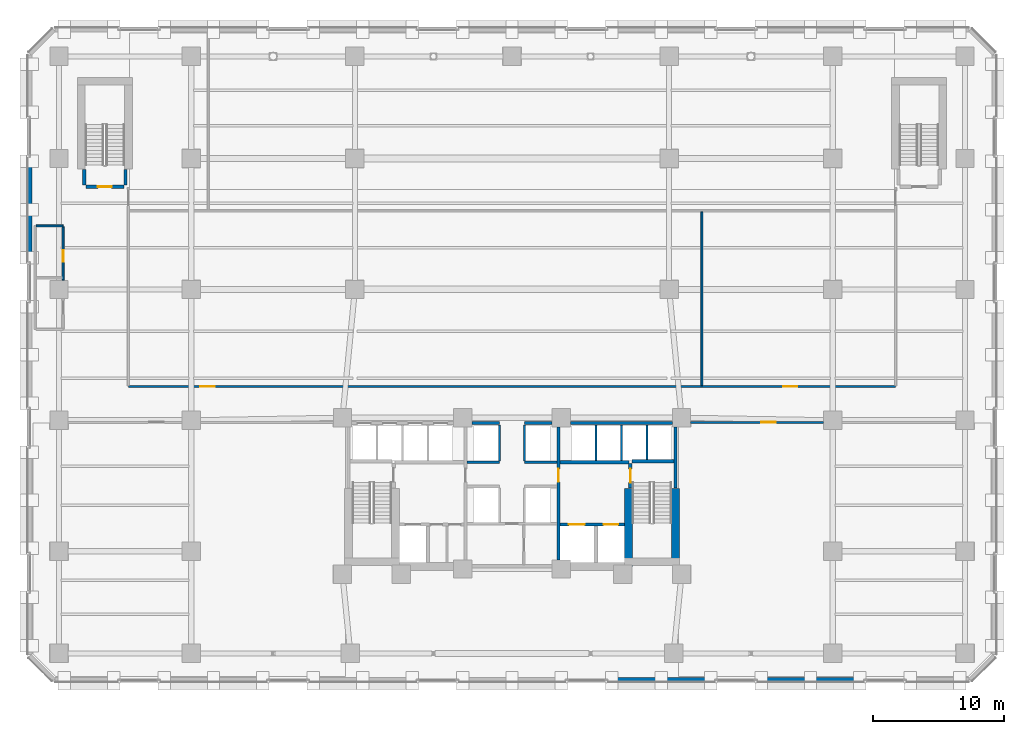
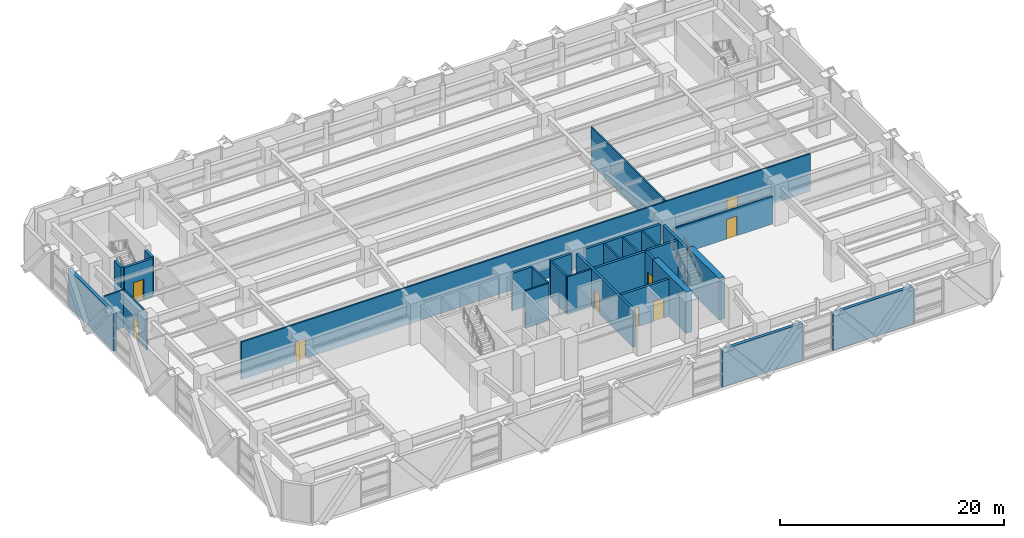
# One storey, part 15 of 26: 29 walls, 9 doors, 9 openings.
"""IFC4 building model written with IfcOpenShell, lengths in metres."""

from ifc_helpers import new_model, si_unit, direction, frame, frame_2d, origin, place, context, subcontext, project, spatial, rectangle, extrude, material, layer, layer_set, type_object, element, fill, save


model = new_model("IFC4")

# Units and contexts
model_context = context("Model", 3, precision=1e-05, world=origin(), true_north=direction((0.0, 1.0)))
body_context = subcontext(model_context, "Body", "Model", "MODEL_VIEW")
ifc_project = project(units=[si_unit("LENGTHUNIT", "METRE"), si_unit("AREAUNIT", "SQUARE_METRE"), si_unit("VOLUMEUNIT", "CUBIC_METRE"), si_unit("PLANEANGLEUNIT", "RADIAN"), si_unit("MASSUNIT", "GRAM", prefix="KILO")], contexts=[model_context])

# Site, building, storey
site_placement = place(None, origin())
site = spatial("IfcSite", under=ifc_project, at=site_placement, CompositionType="ELEMENT")
building_placement = place(site_placement, origin())
building = spatial("IfcBuilding", under=site, at=building_placement, Name="Quenlor Broadcast Tower", CompositionType="ELEMENT")
storey_placement = place(building_placement, frame((0.0, 0.0, 18.5)))
storey = spatial("IfcBuildingStorey", under=building, at=storey_placement, Name="L04", CompositionType="ELEMENT", Elevation=18.5)

# Wall
ifc_material_1 = material(Name="Acoustic Double Stud Gypsum Partition", Category="other")
ifc_layer_1 = layer(ifc_material_1, 0.14990234375)
ifc_layer_set_1 = layer_set([ifc_layer_1], Name="Broadcast Studio Acoustic Partition 150")
wall_type_1 = type_object("IfcWallType", Name="Broadcast Studio Acoustic Partition 150", PredefinedType="PARTITIONING", material=ifc_layer_set_1)
wall_1_placement = place(storey_placement, frame((14.5, -2.337890625, 0.0), z_axis=(0.0, 0.0, 1.0), x_axis=(0.0, 1.0, 0.0)))
element("IfcWall", 1, at=wall_1_placement, inside=storey, type_object=wall_type_1, Name="L04 Interior Wall PW-PD-VX", PredefinedType="PARTITIONING", context=body_context, shape_type="SweptSolid", body=[
    extrude(rectangle(XDim=13.2578125, YDim=0.14990234375, at=frame_2d((6.62890625, 0.0))), origin(), (0.0, 0.0, 1.0), 4.080078125),
])

# Wall, opening, door
wall_2_placement = place(storey_placement, frame((-34.280029296875, 5.701904296875, 0.0), z_axis=(0.0, 0.0, 1.0), x_axis=(0.0, 1.0, 0.0)))
wall_2 = element("IfcWall", 2, at=wall_2_placement, inside=storey, type_object=wall_type_1, Name="L04 Interior Wall PW-PD-WCES2", PredefinedType="PARTITIONING", context=body_context, shape_type="SweptSolid", body=[
    extrude(rectangle(XDim=4.088134765625, YDim=0.14990234375, at=frame_2d((2.0439453125, 0.0))), origin(), (0.0, 0.0, 1.0), 4.080078125),
])
opening_1_placement = place(wall_2_placement, frame((1.407958984375, 0.0, 0.0)))
opening_1 = element("IfcOpeningElement", 3, at=opening_1_placement, cuts=wall_2, Name="Opening ID-3", PredefinedType="OPENING", context=body_context, shape_type="SweptSolid", body=[
    extrude(rectangle(XDim=0.89990234375, YDim=2.1201171875, at=frame_2d((0.449951171875, 1.06005859375))), frame((0.0, 0.0849609375, 0.0), z_axis=(0.0, -1.0, 0.0), x_axis=(1.0, 0.0, 0.0)), (0.0, 0.0, 1.0), 0.169921875),
])
ifc_material_2 = material(Name="Moisture Resistant Timber Oak", Category="wood")
door_type_1 = type_object("IfcDoorType", Name="Washroom Privacy Door 900x2120", OperationType="NOTDEFINED", PredefinedType="DOOR", material=ifc_material_2)
door_1_placement = place(opening_1_placement, origin())
door_1 = element("IfcDoor", 4, at=door_1_placement, inside=storey, type_object=door_type_1, Name="L04 Door DR-PD-FWC", OperationType="SINGLE_SWING_RIGHT", OverallHeight=2.1201171875, OverallWidth=0.89990234375, PredefinedType="DOOR", context=body_context, shape_type="SweptSolid", body=[
    extrude(rectangle(XDim=0.89990234375, YDim=2.1201171875, at=frame_2d((0.449951171875, 1.06005859375))), frame((0.0, 0.02490234375, 0.0), z_axis=(0.0, -1.0, 0.0), x_axis=(1.0, 0.0, 0.0)), (0.0, 0.0, 1.0), 0.050048828125),
])
fill(opening_1, door_1)

# Walls
wall_3_placement = place(storey_placement, frame((-36.343017578125, 9.85009765625, 0.0), z_axis=(0.0, 0.0, 1.0), x_axis=(1.0, 0.0, 0.0)))
element("IfcWall", 5, at=wall_3_placement, inside=storey, type_object=wall_type_1, Name="L04 Interior Wall PW-PD-WCN", PredefinedType="PARTITIONING", context=body_context, shape_type="SweptSolid", body=[
    extrude(rectangle(XDim=2.06298828125, YDim=0.14990234375, at=frame_2d((1.031494140625, 0.0))), origin(), (0.0, 0.0, 1.0), 4.080078125),
])
ifc_material_3 = material(Name="Concrete C65/80", Category="concrete")
ifc_layer_2 = layer(ifc_material_3, 0.60009765625)
ifc_layer_set_2 = layer_set([ifc_layer_2], Name="Core Concrete C65/80 Shear Wall 600")
wall_type_2 = type_object("IfcWallType", Name="Core Concrete C65/80 Shear Wall 600", PredefinedType="SHEAR", material=ifc_layer_set_2)
wall_4_placement = place(storey_placement, frame((12.5, -15.800048828125, 0.0), z_axis=(0.0, 0.0, 1.0), x_axis=(0.0, 1.0, 0.0)))
element("IfcWall", 6, at=wall_4_placement, inside=storey, type_object=wall_type_2, Name="L04 Core Shear Wall WF-E", PredefinedType="SHEAR", context=body_context, shape_type="SweptSolid", body=[
    extrude(rectangle(XDim=5.60009765625, YDim=0.60009765625, at=frame_2d((2.800048828125, 0.0))), origin(), (0.0, 0.0, 1.0), 4.5),
])
wall_5_placement = place(storey_placement, frame((8.89990234375, -16.14990234375, 0.0), z_axis=(0.0, 0.0, 1.0), x_axis=(0.0, 1.0, 0.0)))
element("IfcWall", 7, at=wall_5_placement, inside=storey, type_object=wall_type_2, Name="L04 Core Shear Wall WI-E", PredefinedType="SHEAR", context=body_context, shape_type="SweptSolid", body=[
    extrude(rectangle(XDim=5.949951171875, YDim=0.60009765625, at=frame_2d((2.97509765625, 0.0))), origin(), (0.0, 0.0, 1.0), 4.5),
])

# Wall, opening, door
ifc_material_4 = material(Name="Concrete C40/50", Category="concrete")
ifc_layer_3 = layer(ifc_material_4, 0.25)
ifc_layer_set_3 = layer_set([ifc_layer_3], Name="Fire Rated Concrete C40/50 Core Wall 250")
wall_type_3 = type_object("IfcWallType", Name="Fire Rated Concrete C40/50 Core Wall 250", PredefinedType="PARTITIONING", material=ifc_layer_set_3)
wall_6_placement = place(storey_placement, frame((9.0400390625, -10.179931640625, 0.0), z_axis=(0.0, 0.0, 1.0), x_axis=(0.0, 1.0, 0.0)))
wall_6 = element("IfcWall", 8, at=wall_6_placement, inside=storey, type_object=wall_type_3, Name="L04 Interior Wall CW-ST2-DR", PredefinedType="PARTITIONING", context=body_context, shape_type="SweptSolid", body=[
    extrude(rectangle(XDim=1.89990234375, YDim=0.25, at=frame_2d((0.949951171875, 0.0))), origin(), (0.0, 0.0, 1.0), 4.080078125),
])
opening_2_placement = place(wall_6_placement, frame((0.419921875, 0.0, 0.0)))
opening_2 = element("IfcOpeningElement", 9, at=opening_2_placement, cuts=wall_6, Name="Opening FD-1", PredefinedType="OPENING", context=body_context, shape_type="SweptSolid", body=[
    extrude(rectangle(XDim=1.050048828125, YDim=2.14990234375, at=frame_2d((0.52490234375, 1.074951171875))), frame((0.0, 0.135009765625, 0.0), z_axis=(0.0, -1.0, 0.0), x_axis=(1.0, 0.0, 0.0)), (0.0, 0.0, 1.0), 0.27001953125),
])
ifc_material_5 = material(Name="Fire Rated Steel Door Leaf", Category="steel")
door_type_2 = type_object("IfcDoorType", Name="Fire Isolated Stair Door 1050x2150", OperationType="NOTDEFINED", PredefinedType="DOOR", material=ifc_material_5)
door_2_placement = place(opening_2_placement, origin())
door_2 = element("IfcDoor", 10, at=door_2_placement, inside=storey, type_object=door_type_2, Name="L04 Door DR-ST2", OperationType="SINGLE_SWING_RIGHT", OverallHeight=2.14990234375, OverallWidth=1.050048828125, PredefinedType="DOOR", context=body_context, shape_type="SweptSolid", body=[
    extrude(rectangle(XDim=1.050048828125, YDim=2.14990234375, at=frame_2d((0.52490234375, 1.074951171875))), frame((0.0, 0.02490234375, 0.0), z_axis=(0.0, -1.0, 0.0), x_axis=(1.0, 0.0, 0.0)), (0.0, 0.0, 1.0), 0.050048828125),
])
fill(opening_2, door_2)

# Walls
wall_7_placement = place(storey_placement, frame((9.159912109375, -8.1201171875, 0.0), z_axis=(0.0, 0.0, 1.0), x_axis=(1.0, 0.0, 0.0)))
element("IfcWall", 11, at=wall_7_placement, inside=storey, type_object=wall_type_3, Name="L04 Interior Wall CW-ST2-N", PredefinedType="PARTITIONING", context=body_context, shape_type="SweptSolid", body=[
    extrude(rectangle(XDim=3.219970703125, YDim=0.25, at=frame_2d((1.60986328125, 0.0))), origin(), (0.0, 0.0, 1.0), 4.080078125),
])
wall_8_placement = place(storey_placement, frame((12.47998046875, -10.179931640625, 0.0), z_axis=(0.0, 0.0, 1.0), x_axis=(0.0, 1.0, 0.0)))
element("IfcWall", 12, at=wall_8_placement, inside=storey, type_object=wall_type_3, Name="L04 Interior Wall CW-ST2-E2", PredefinedType="PARTITIONING", context=body_context, shape_type="SweptSolid", body=[
    extrude(rectangle(XDim=4.677978515625, YDim=0.25, at=frame_2d((2.3388671875, 0.0))), origin(), (0.0, 0.0, 1.0), 4.080078125),
])

# Wall, opening, door
wall_9_placement = place(storey_placement, frame((-32.550048828125, 12.840087890625, 0.0), z_axis=(0.0, 0.0, 1.0), x_axis=(1.0, 0.0, 0.0)))
wall_9 = element("IfcWall", 13, at=wall_9_placement, inside=storey, type_object=wall_type_3, Name="L04 Interior Wall CW-ST3-S", PredefinedType="PARTITIONING", context=body_context, shape_type="SweptSolid", body=[
    extrude(rectangle(XDim=2.900146484375, YDim=0.25, at=frame_2d((1.4501953125, 0.0))), origin(), (0.0, 0.0, 1.0), 4.080078125),
])
opening_3_placement = place(wall_9_placement, frame((0.919921875, 0.0, 0.0)))
opening_3 = element("IfcOpeningElement", 14, at=opening_3_placement, cuts=wall_9, Name="Opening FD-1", PredefinedType="OPENING", context=body_context, shape_type="SweptSolid", body=[
    extrude(rectangle(XDim=1.050048828125, YDim=2.14990234375, at=frame_2d((0.52490234375, 1.074951171875))), frame((0.0, 0.135009765625, 0.0), z_axis=(0.0, -1.0, 0.0), x_axis=(1.0, 0.0, 0.0)), (0.0, 0.0, 1.0), 0.27001953125),
])
door_3_placement = place(opening_3_placement, origin())
door_3 = element("IfcDoor", 15, at=door_3_placement, inside=storey, type_object=door_type_2, Name="L04 Door DR-ST3", OperationType="SINGLE_SWING_LEFT", OverallHeight=2.14990234375, OverallWidth=1.050048828125, PredefinedType="DOOR", context=body_context, shape_type="SweptSolid", body=[
    extrude(rectangle(XDim=1.050048828125, YDim=2.14990234375, at=frame_2d((0.52490234375, 1.074951171875))), frame((0.0, 0.02490234375, 0.0), z_axis=(0.0, -1.0, 0.0), x_axis=(1.0, 0.0, 0.0)), (0.0, 0.0, 1.0), 0.050048828125),
])
fill(opening_3, door_3)

# Walls
for number, where, z_axis, x_axis, name in (
    (16, (-32.679931640625, 12.9599609375, 0.0), (0.0, 0.0, 1.0), (0.0, 1.0, 0.0), "L04 Interior Wall CW-ST3-W1"),
    (17, (-29.52001953125, 12.9599609375, 0.0), (0.0, 0.0, 1.0), (0.0, 1.0, 0.0), "L04 Interior Wall CW-ST3-E1"),
):
    element("IfcWall", number, at=place(storey_placement, frame(where, z_axis=z_axis, x_axis=x_axis)), inside=storey, type_object=wall_type_3, Name=name, PredefinedType="PARTITIONING", context=body_context, shape_type="SweptSolid", body=[
        extrude(rectangle(XDim=1.219970703125, YDim=0.25, at=frame_2d((0.60986328125, 0.0))), origin(), (0.0, 0.0, 1.0), 4.080078125),
    ])

# Wall, openings, doors
wall_10_placement = place(storey_placement, frame((3.679931640625, -12.949951171875, 0.0), z_axis=(0.0, 0.0, 1.0), x_axis=(1.0, 0.0, 0.0)))
wall_10 = element("IfcWall", 18, at=wall_10_placement, inside=storey, type_object=wall_type_3, Name="L04 Interior Wall CW-FFE-S", PredefinedType="PARTITIONING", context=body_context, shape_type="SweptSolid", body=[
    extrude(rectangle(XDim=4.91796875, YDim=0.25, at=frame_2d((2.458984375, 0.0))), origin(), (0.0, 0.0, 1.0), 4.080078125),
])
opening_4_placement = place(wall_10_placement, frame((3.320068359375, 0.0, 0.0)))
opening_4 = element("IfcOpeningElement", 19, at=opening_4_placement, cuts=wall_10, Name="Opening LD-FFL-2", PredefinedType="OPENING", context=body_context, shape_type="SweptSolid", body=[
    extrude(rectangle(XDim=1.10009765625, YDim=2.14990234375, at=frame_2d((0.550048828125, 1.074951171875))), frame((0.0, 0.135009765625, 0.0), z_axis=(0.0, -1.0, 0.0), x_axis=(1.0, 0.0, 0.0)), (0.0, 0.0, 1.0), 0.27001953125),
])
opening_5_placement = place(wall_10_placement, frame((0.669921875, 0.0, 0.0)))
opening_5 = element("IfcOpeningElement", 20, at=opening_5_placement, cuts=wall_10, Name="Opening LD-SVL-1", PredefinedType="OPENING", context=body_context, shape_type="SweptSolid", body=[
    extrude(rectangle(XDim=1.199951171875, YDim=2.14990234375, at=frame_2d((0.60009765625, 1.074951171875))), frame((0.0, 0.135009765625, 0.0), z_axis=(0.0, -1.0, 0.0), x_axis=(1.0, 0.0, 0.0)), (0.0, 0.0, 1.0), 0.27001953125),
])
ifc_material_6 = material(Name="Brushed Stainless Steel", Category="steel")
door_type_3 = type_object("IfcDoorType", Name="Emergency Lift Sliding Landing Door 1100x2150", OperationType="NOTDEFINED", PredefinedType="DOOR", material=ifc_material_6)
door_4_placement = place(opening_4_placement, origin())
door_4 = element("IfcDoor", 21, at=door_4_placement, inside=storey, type_object=door_type_3, Name="L04 Door LD-FFL-2", OperationType="SLIDING_TO_RIGHT", OverallHeight=2.14990234375, OverallWidth=1.10009765625, PredefinedType="DOOR", context=body_context, shape_type="SweptSolid", body=[
    extrude(rectangle(XDim=1.10009765625, YDim=2.14990234375, at=frame_2d((0.550048828125, 1.074951171875))), frame((0.0, 0.02490234375, 0.0), z_axis=(0.0, -1.0, 0.0), x_axis=(1.0, 0.0, 0.0)), (0.0, 0.0, 1.0), 0.050048828125),
])
fill(opening_4, door_4)
ifc_material_7 = material(Name="Brushed Stainless Steel", Category="steel")
door_type_4 = type_object("IfcDoorType", Name="Goods Lift Sliding Landing Door 1200x2150", OperationType="NOTDEFINED", PredefinedType="DOOR", material=ifc_material_7)
door_5_placement = place(opening_5_placement, origin())
door_5 = element("IfcDoor", 22, at=door_5_placement, inside=storey, type_object=door_type_4, Name="L04 Door LD-SVL-1", OperationType="SLIDING_TO_LEFT", OverallHeight=2.14990234375, OverallWidth=1.199951171875, PredefinedType="DOOR", context=body_context, shape_type="SweptSolid", body=[
    extrude(rectangle(XDim=1.199951171875, YDim=2.14990234375, at=frame_2d((0.60009765625, 1.074951171875))), frame((0.0, 0.02490234375, 0.0), z_axis=(0.0, -1.0, 0.0), x_axis=(1.0, 0.0, 0.0)), (0.0, 0.0, 1.0), 0.050048828125),
])
fill(opening_5, door_5)

# Wall
wall_11_placement = place(storey_placement, frame((3.679931640625, -8.199951171875, 0.0), z_axis=(0.0, 0.0, 1.0), x_axis=(1.0, 0.0, 0.0)))
element("IfcWall", 23, at=wall_11_placement, inside=storey, type_object=wall_type_3, Name="L04 Interior Wall CW-FFE-N", PredefinedType="PARTITIONING", context=body_context, shape_type="SweptSolid", body=[
    extrude(rectangle(XDim=5.239990234375, YDim=0.25, at=frame_2d((2.6201171875, 0.0))), origin(), (0.0, 0.0, 1.0), 4.080078125),
])

# Wall, opening, door
wall_12_placement = place(storey_placement, frame((3.550048828125, -15.64794921875, 0.0), z_axis=(0.0, 0.0, 1.0), x_axis=(0.0, 1.0, 0.0)))
wall_12 = element("IfcWall", 24, at=wall_12_placement, inside=storey, type_object=wall_type_3, Name="L04 Interior Wall CW-FFE-W", PredefinedType="PARTITIONING", context=body_context, shape_type="SweptSolid", body=[
    extrude(rectangle(XDim=10.14599609375, YDim=0.25, at=frame_2d((5.072998046875, 0.0))), origin(), (0.0, 0.0, 1.0), 4.080078125),
])
opening_6_placement = place(wall_12_placement, frame((5.947998046875, 0.0, 0.0)))
opening_6 = element("IfcOpeningElement", 25, at=opening_6_placement, cuts=wall_12, Name="Opening FD-2", PredefinedType="OPENING", context=body_context, shape_type="SweptSolid", body=[
    extrude(rectangle(XDim=1.0, YDim=2.14990234375, at=frame_2d((0.5, 1.074951171875))), frame((0.0, 0.135009765625, 0.0), z_axis=(0.0, -1.0, 0.0), x_axis=(1.0, 0.0, 0.0)), (0.0, 0.0, 1.0), 0.27001953125),
])
ifc_material_8 = material(Name="Fire Rated Glazed Steel Door", Category="steel")
door_type_5 = type_object("IfcDoorType", Name="Firefighting Lobby Smoke Door 1000x2150", OperationType="NOTDEFINED", PredefinedType="DOOR", material=ifc_material_8)
door_6_placement = place(opening_6_placement, origin())
door_6 = element("IfcDoor", 26, at=door_6_placement, inside=storey, type_object=door_type_5, Name="L04 Door DR-FFLE", OperationType="SINGLE_SWING_LEFT", OverallHeight=2.14990234375, OverallWidth=1.0, PredefinedType="DOOR", context=body_context, shape_type="SweptSolid", body=[
    extrude(rectangle(XDim=1.0, YDim=2.14990234375, at=frame_2d((0.5, 1.074951171875))), frame((0.0, 0.02490234375, 0.0), z_axis=(0.0, -1.0, 0.0), x_axis=(1.0, 0.0, 0.0)), (0.0, 0.0, 1.0), 0.050048828125),
])
fill(opening_6, door_6)

# Walls
wall_13_placement = place(storey_placement, frame((4.451904296875, -5.199951171875, 0.0), z_axis=(0.0, 0.0, 1.0), x_axis=(1.0, 0.0, 0.0)))
element("IfcWall", 27, at=wall_13_placement, inside=storey, type_object=wall_type_3, Name="L04 Interior Wall CW-N-E", PredefinedType="PARTITIONING", context=body_context, shape_type="SweptSolid", body=[
    extrude(rectangle(XDim=7.796142578125, YDim=0.25, at=frame_2d((3.89794921875, 0.0))), origin(), (0.0, 0.0, 1.0), 4.080078125),
])
for number, where, z_axis, x_axis, name in (
    (28, (-3.048095703125, -5.199951171875, 0.0), (0.0, 0.0, 1.0), (1.0, 0.0, 0.0), "L04 Interior Wall CW-N-M1"),
    (29, (0.949951171875, -5.199951171875, 0.0), (0.0, 0.0, 1.0), (1.0, 0.0, 0.0), "L04 Interior Wall CW-N-M2"),
):
    element("IfcWall", number, at=place(storey_placement, frame(where, z_axis=z_axis, x_axis=x_axis)), inside=storey, type_object=wall_type_3, Name=name, PredefinedType="PARTITIONING", context=body_context, shape_type="SweptSolid", body=[
        extrude(rectangle(XDim=2.09814453125, YDim=0.25, at=frame_2d((1.049072265625, 0.0))), origin(), (0.0, 0.0, 1.0), 4.080078125),
    ])
ifc_material_9 = material(Name="Gypsum Fireboard Partition", Category="other")
ifc_layer_4 = layer(ifc_material_9, 0.159912109375)
ifc_layer_set_4 = layer_set([ifc_layer_4], Name="Fire Rated Shaft and Corridor Partition 160")
wall_type_4 = type_object("IfcWallType", Name="Fire Rated Shaft and Corridor Partition 160", PredefinedType="PARTITIONING", material=ifc_layer_set_4)
for number, where, z_axis, x_axis, name in (
    (30, (6.425048828125, -8.072998046875, 0.0), (0.0, 0.0, 1.0), (0.0, 1.0, 0.0), "L04 Interior Wall CW-PLH-D1"),
    (31, (8.375, -8.072998046875, 0.0), (0.0, 0.0, 1.0), (0.0, 1.0, 0.0), "L04 Interior Wall CW-PLH-D2"),
):
    element("IfcWall", number, at=place(storey_placement, frame(where, z_axis=z_axis, x_axis=x_axis)), inside=storey, type_object=wall_type_4, Name=name, PredefinedType="PARTITIONING", context=body_context, shape_type="SweptSolid", body=[
        extrude(rectangle(XDim=2.73291015625, YDim=0.159912109375, at=frame_2d((1.366455078125, 0.0))), origin(), (0.0, 0.0, 1.0), 4.080078125),
    ])
wall_14_placement = place(storey_placement, frame((10.324951171875, -7.992919921875, 0.0), z_axis=(0.0, 0.0, 1.0), x_axis=(0.0, 1.0, 0.0)))
element("IfcWall", 32, at=wall_14_placement, inside=storey, type_object=wall_type_4, Name="L04 Interior Wall CW-PLH-D3", PredefinedType="PARTITIONING", context=body_context, shape_type="SweptSolid", body=[
    extrude(rectangle(XDim=2.65283203125, YDim=0.159912109375, at=frame_2d((1.326416015625, 0.0))), origin(), (0.0, 0.0, 1.0), 4.080078125),
])
for number, where, z_axis, x_axis, name in (
    (33, (-0.949951171875, -8.1201171875, 0.0), (0.0, 0.0, 1.0), (0.0, 1.0, 0.0), "L04 Interior Wall CW-CCRP-W"),
    (34, (0.949951171875, -8.1201171875, 0.0), (0.0, 0.0, 1.0), (0.0, 1.0, 0.0), "L04 Interior Wall CW-CCRP-E"),
):
    element("IfcWall", number, at=place(storey_placement, frame(where, z_axis=z_axis, x_axis=x_axis)), inside=storey, type_object=wall_type_4, Name=name, PredefinedType="PARTITIONING", context=body_context, shape_type="SweptSolid", body=[
        extrude(rectangle(XDim=2.780029296875, YDim=0.159912109375, at=frame_2d((1.39013671875, 0.0))), origin(), (0.0, 0.0, 1.0), 4.080078125),
    ])
for number, where, z_axis, x_axis, name in (
    (35, (-3.419921875, -8.199951171875, 0.0), (0.0, 0.0, 1.0), (1.0, 0.0, 0.0), "L04 Interior Wall CW-M-BACK1"),
    (36, (0.949951171875, -8.199951171875, 0.0), (0.0, 0.0, 1.0), (1.0, 0.0, 0.0), "L04 Interior Wall CW-M-BACK2"),
):
    element("IfcWall", number, at=place(storey_placement, frame(where, z_axis=z_axis, x_axis=x_axis)), inside=storey, type_object=wall_type_4, Name=name, PredefinedType="PARTITIONING", context=body_context, shape_type="SweptSolid", body=[
        extrude(rectangle(XDim=2.469970703125, YDim=0.159912109375, at=frame_2d((1.23486328125, 0.0))), origin(), (0.0, 0.0, 1.0), 4.080078125),
    ])

# Wall, openings, doors
wall_15_placement = place(storey_placement, frame((-29.300048828125, -2.419921875, 0.0), z_axis=(0.0, 0.0, 1.0), x_axis=(1.0, 0.0, 0.0)))
wall_15 = element("IfcWall", 37, at=wall_15_placement, inside=storey, type_object=wall_type_4, Name="L04 Interior Wall PW-PD-CN", PredefinedType="PARTITIONING", context=body_context, shape_type="SweptSolid", body=[
    extrude(rectangle(XDim=58.60009765625, YDim=0.159912109375, at=frame_2d((29.300048828125, 0.0))), origin(), (0.0, 0.0, 1.0), 4.080078125),
])
opening_7_placement = place(wall_15_placement, frame((5.5, 0.0, 0.0)))
opening_7 = element("IfcOpeningElement", 38, at=opening_7_placement, cuts=wall_15, Name="Opening ID-2", PredefinedType="OPENING", context=body_context, shape_type="SweptSolid", body=[
    extrude(rectangle(XDim=1.10009765625, YDim=2.14990234375, at=frame_2d((0.550048828125, 1.074951171875))), frame((0.0, 0.08984375, 0.0), z_axis=(0.0, -1.0, 0.0), x_axis=(1.0, 0.0, 0.0)), (0.0, 0.0, 1.0), 0.179931640625),
])
opening_8_placement = place(wall_15_placement, frame((50.0, 0.0, 0.0)))
opening_8 = element("IfcOpeningElement", 39, at=opening_8_placement, cuts=wall_15, Name="Opening ID-2", PredefinedType="OPENING", context=body_context, shape_type="SweptSolid", body=[
    extrude(rectangle(XDim=1.10009765625, YDim=2.14990234375, at=frame_2d((0.550048828125, 1.074951171875))), frame((0.0, 0.08984375, 0.0), z_axis=(0.0, -1.0, 0.0), x_axis=(1.0, 0.0, 0.0)), (0.0, 0.0, 1.0), 0.179931640625),
])
ifc_material_10 = material(Name="Acoustic Laminated Timber Oak", Category="wood")
door_type_6 = type_object("IfcDoorType", Name="Wide Studio Acoustic Timber Door 1100x2150", OperationType="NOTDEFINED", PredefinedType="DOOR", material=ifc_material_10)
door_7_placement = place(opening_7_placement, origin())
door_7 = element("IfcDoor", 40, at=door_7_placement, inside=storey, type_object=door_type_6, Name="L04 Door DR-PD3", OperationType="SINGLE_SWING_LEFT", OverallHeight=2.14990234375, OverallWidth=1.10009765625, PredefinedType="DOOR", context=body_context, shape_type="SweptSolid", body=[
    extrude(rectangle(XDim=1.10009765625, YDim=2.14990234375, at=frame_2d((0.550048828125, 1.074951171875))), frame((0.0, 0.02490234375, 0.0), z_axis=(0.0, -1.0, 0.0), x_axis=(1.0, 0.0, 0.0)), (0.0, 0.0, 1.0), 0.050048828125),
])
fill(opening_7, door_7)
door_8_placement = place(opening_8_placement, origin())
door_8 = element("IfcDoor", 41, at=door_8_placement, inside=storey, type_object=door_type_6, Name="L04 Door DR-PD4", OperationType="SINGLE_SWING_RIGHT", OverallHeight=2.14990234375, OverallWidth=1.10009765625, PredefinedType="DOOR", context=body_context, shape_type="SweptSolid", body=[
    extrude(rectangle(XDim=1.10009765625, YDim=2.14990234375, at=frame_2d((0.550048828125, 1.074951171875))), frame((0.0, 0.02490234375, 0.0), z_axis=(0.0, -1.0, 0.0), x_axis=(1.0, 0.0, 0.0)), (0.0, 0.0, 1.0), 0.050048828125),
])
fill(opening_8, door_8)

# Wall, opening, door
wall_16_placement = place(storey_placement, frame((13.652099609375, -5.14990234375, 0.0), z_axis=(0.0, 0.0, 1.0), x_axis=(1.0, 0.0, 0.0)))
wall_16 = element("IfcWall", 42, at=wall_16_placement, inside=storey, type_object=wall_type_4, Name="L04 Interior Wall PW-PD-CSE", PredefinedType="PARTITIONING", context=body_context, shape_type="SweptSolid", body=[
    extrude(rectangle(XDim=10.14599609375, YDim=0.159912109375, at=frame_2d((5.072998046875, 0.0))), origin(), (0.0, 0.0, 1.0), 3.055908203125),
])
opening_9_placement = place(wall_16_placement, frame((5.39794921875, 0.0, 0.0)))
opening_9 = element("IfcOpeningElement", 43, at=opening_9_placement, cuts=wall_16, Name="Opening ID-2", PredefinedType="OPENING", context=body_context, shape_type="SweptSolid", body=[
    extrude(rectangle(XDim=1.10009765625, YDim=2.14990234375, at=frame_2d((0.550048828125, 1.074951171875))), frame((0.0, 0.08984375, 0.0), z_axis=(0.0, -1.0, 0.0), x_axis=(1.0, 0.0, 0.0)), (0.0, 0.0, 1.0), 0.179931640625),
])
door_9_placement = place(opening_9_placement, origin())
door_9 = element("IfcDoor", 44, at=door_9_placement, inside=storey, type_object=door_type_6, Name="L04 Door DR-PD2", OperationType="SINGLE_SWING_RIGHT", OverallHeight=2.14990234375, OverallWidth=1.10009765625, PredefinedType="DOOR", context=body_context, shape_type="SweptSolid", body=[
    extrude(rectangle(XDim=1.10009765625, YDim=2.14990234375, at=frame_2d((0.550048828125, 1.074951171875))), frame((0.0, 0.02490234375, 0.0), z_axis=(0.0, -1.0, 0.0), x_axis=(1.0, 0.0, 0.0)), (0.0, 0.0, 1.0), 0.050048828125),
])
fill(opening_9, door_9)

# Walls
ifc_material_11 = material(Name="Precast concrete C40/50", Category="concrete")
ifc_layer_5 = layer(ifc_material_11, 0.320068359375)
ifc_layer_set_5 = layer_set([ifc_layer_5], Name="Station Podium Precast Concrete C40/50 Facade Wall 320")
wall_type_5 = type_object("IfcWallType", Name="Station Podium Precast Concrete C40/50 Facade Wall 320", PredefinedType="STANDARD", material=ifc_layer_set_5)
wall_17_placement = place(storey_placement, frame((26.965087890625, -24.820068359375, 0.0), z_axis=(0.0, 0.0, 1.0), x_axis=(-1.0, 0.0, 0.0)))
element("IfcWall", 45, at=wall_17_placement, inside=storey, type_object=wall_type_5, Name="L04 Exterior Wall L04-S-FULL-SP2", PredefinedType="STANDARD", context=body_context, shape_type="SweptSolid", body=[
    extrude(rectangle(XDim=8.330078125, YDim=0.320068359375, at=frame_2d((4.1650390625, 0.0))), origin(), (0.0, 0.0, 1.0), 4.080078125),
])
wall_18_placement = place(storey_placement, frame((15.565185546875, -24.820068359375, 0.0), z_axis=(0.0, 0.0, 1.0), x_axis=(-1.0, 0.0, 0.0)))
element("IfcWall", 46, at=wall_18_placement, inside=storey, type_object=wall_type_5, Name="L04 Exterior Wall L04-S-FULL-SP3", PredefinedType="STANDARD", context=body_context, shape_type="SweptSolid", body=[
    extrude(rectangle(XDim=8.330322265625, YDim=0.320068359375, at=frame_2d((4.1650390625, 0.0))), origin(), (0.0, 0.0, 1.0), 4.080078125),
])
wall_19_placement = place(storey_placement, frame((-36.820068359375, 7.03466796875, 0.0), z_axis=(0.0, 0.0, 1.0), x_axis=(0.0, 1.0, 0.0)))
element("IfcWall", 47, at=wall_19_placement, inside=storey, type_object=wall_type_5, Name="L04 Exterior Wall L04-W-FULL-SP4", PredefinedType="STANDARD", context=body_context, shape_type="SweptSolid", body=[
    extrude(rectangle(XDim=8.130615234375, YDim=0.320068359375, at=frame_2d((4.0654296875, 0.0))), origin(), (0.0, 0.0, 1.0), 4.080078125),
])

save(model, "model.ifc")
